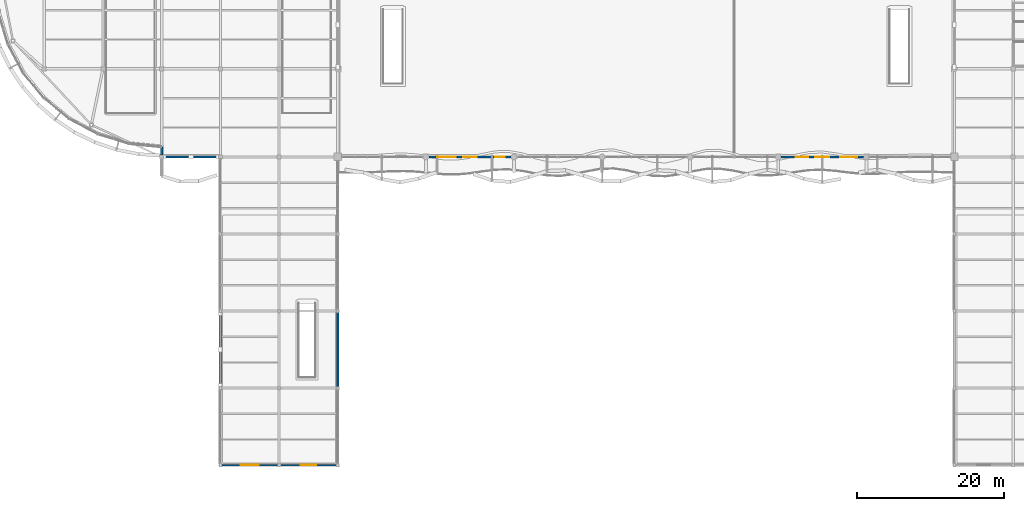
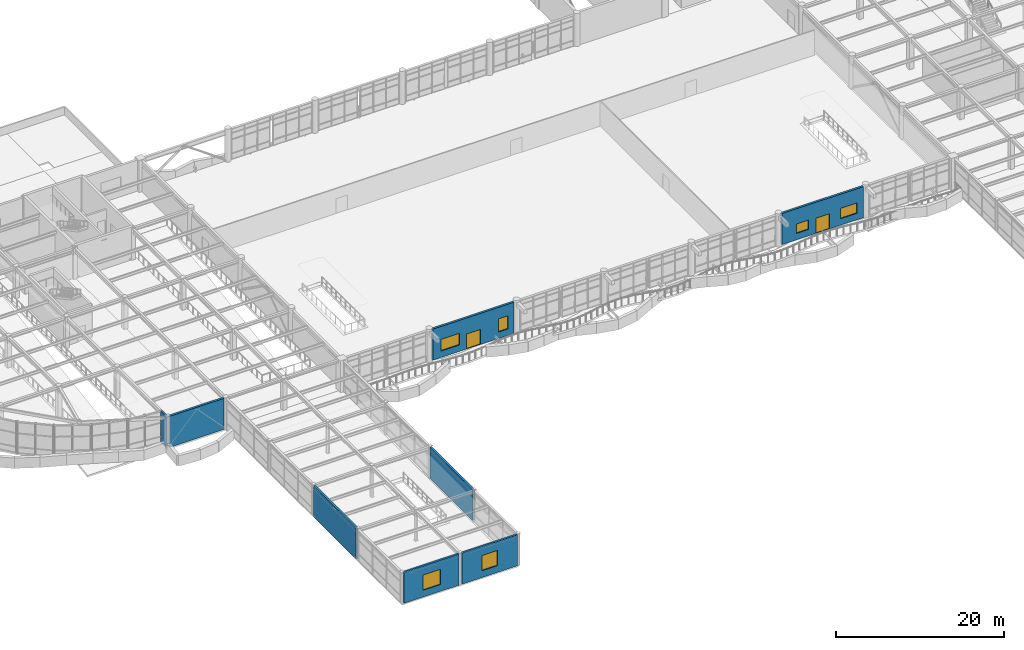
# One storey, part 48 of 72: 8 walls, 6 windows, 2 doors, 8 openings.
"""IFC4 building model written with IfcOpenShell, lengths in metres."""

from ifc_helpers import new_model, si_unit, direction, frame, frame_2d, origin, place, context, subcontext, project, spatial, rectangle, extrude, material, layer, layer_set, type_object, element, fill, save


model = new_model("IFC4")

# Units and contexts
model_context = context("Model", 3, precision=1e-05, world=origin(), true_north=direction((0.0, 1.0)))
body_context = subcontext(model_context, "Body", "Model", "MODEL_VIEW")
ifc_project = project(units=[si_unit("LENGTHUNIT", "METRE"), si_unit("AREAUNIT", "SQUARE_METRE"), si_unit("VOLUMEUNIT", "CUBIC_METRE"), si_unit("PLANEANGLEUNIT", "RADIAN"), si_unit("MASSUNIT", "GRAM", prefix="KILO")], contexts=[model_context])

# Site, building, storey
site_placement = place(None, origin())
site = spatial("IfcSite", under=ifc_project, at=site_placement, CompositionType="ELEMENT")
building_placement = place(site_placement, origin())
building = spatial("IfcBuilding", under=site, at=building_placement, Name="Keelwater Ferry Terminal", CompositionType="ELEMENT")
storey_placement = place(building_placement, frame((0.0, 0.0, 5.39990234375)))
storey = spatial("IfcBuildingStorey", under=building, at=storey_placement, Name="L01", CompositionType="ELEMENT", Elevation=5.39990234375)

# Walls
ifc_material_1 = material(Name="Precast concrete C40/50", Category="concrete")
ifc_layer_1 = layer(ifc_material_1, 0.260009765625)
ifc_layer_set_1 = layer_set([ifc_layer_1], Name="Precast concrete C40/50")
wall_type_1 = type_object("IfcWallType", Name="EW-BR260 External Solid Wall 260", PredefinedType="SOLIDWALL", material=ifc_layer_set_1)
for number, where, z_axis, x_axis, name in (
    (1, (32.0, 10.702880859375, 0.0), (0.0, 0.0, 1.0), (0.0, 1.0, 0.0), "External Wall WL-L01-0002"),
    (2, (48.0, 10.702880859375, 0.0), (0.0, 0.0, 1.0), (0.0, 1.0, 0.0), "External Wall WL-L01-0004"),
):
    element("IfcWall", number, at=place(storey_placement, frame(where, z_axis=z_axis, x_axis=x_axis)), inside=storey, type_object=wall_type_1, Name=name, PredefinedType="SOLIDWALL", context=body_context, shape_type="SweptSolid", body=[
        extrude(rectangle(XDim=10.09423828125, YDim=0.260009765625, at=frame_2d((5.047119140625, 0.0))), origin(), (0.0, 0.0, 1.0), 4.52001953125),
    ])

# Wall, opening, window
wall_1_placement = place(storey_placement, frame((39.797119140625, 0.0, 0.0), z_axis=(0.0, 0.0, 1.0), x_axis=(-1.0, 0.0, 0.0)))
wall_1 = element("IfcWall", 3, at=wall_1_placement, inside=storey, type_object=wall_type_1, Name="External Wall WL-L01-0010", PredefinedType="SOLIDWALL", context=body_context, shape_type="SweptSolid", body=[
    extrude(rectangle(XDim=7.59423828125, YDim=0.260009765625, at=frame_2d((3.797119140625, 0.0))), origin(), (0.0, 0.0, 1.0), 4.52001953125),
])
opening_1_placement = place(wall_1_placement, frame((2.596923828125, 0.0, 1.0)))
opening_1 = element("IfcOpeningElement", 4, at=opening_1_placement, cuts=wall_1, Name="Opening WN-01", PredefinedType="OPENING", context=body_context, shape_type="SweptSolid", body=[
    extrude(rectangle(XDim=2.39990234375, YDim=2.199951171875, at=frame_2d((1.199951171875, 1.10009765625))), frame((0.0, 0.139892578125, 0.0), z_axis=(0.0, -1.0, 0.0), x_axis=(1.0, 0.0, 0.0)), (0.0, 0.0, 1.0), 0.280029296875),
])
ifc_material_2 = material(Name="Triple low-E glass in thermally broken aluminium frame", Category="aluminium")
window_type_1 = type_object("IfcWindowType", Name="WN-01 Exterior Window 2400x2200", PartitioningType="SINGLE_PANEL", PredefinedType="WINDOW", material=ifc_material_2)
window_1_placement = place(opening_1_placement, origin())
window_1 = element("IfcWindow", 5, at=window_1_placement, inside=storey, type_object=window_type_1, Name="Window WN-L01-0001", OverallHeight=2.199951171875, OverallWidth=2.39990234375, PartitioningType="SINGLE_PANEL", PredefinedType="WINDOW", context=body_context, shape_type="SweptSolid", body=[
    extrude(rectangle(XDim=2.39990234375, YDim=2.199951171875, at=frame_2d((1.199951171875, 1.10009765625))), frame((0.0, 0.030029296875, 0.0), z_axis=(0.0, -1.0, 0.0), x_axis=(1.0, 0.0, 0.0)), (0.0, 0.0, 1.0), 0.06005859375),
])
fill(opening_1, window_1)

wall_2_placement = place(storey_placement, frame((47.797119140625, 0.0, 0.0), z_axis=(0.0, 0.0, 1.0), x_axis=(-1.0, 0.0, 0.0)))
wall_2 = element("IfcWall", 6, at=wall_2_placement, inside=storey, type_object=wall_type_1, Name="External Wall WL-L01-0012", PredefinedType="SOLIDWALL", context=body_context, shape_type="SweptSolid", body=[
    extrude(rectangle(XDim=7.59423828125, YDim=0.260009765625, at=frame_2d((3.797119140625, 0.0))), origin(), (0.0, 0.0, 1.0), 4.52001953125),
])
opening_2_placement = place(wall_2_placement, frame((2.7470703125, 0.0, 1.0)))
opening_2 = element("IfcOpeningElement", 7, at=opening_2_placement, cuts=wall_2, Name="Opening WN-02", PredefinedType="OPENING", context=body_context, shape_type="SweptSolid", body=[
    extrude(rectangle(XDim=2.10009765625, YDim=2.199951171875, at=frame_2d((1.050048828125, 1.10009765625))), frame((0.0, 0.139892578125, 0.0), z_axis=(0.0, -1.0, 0.0), x_axis=(1.0, 0.0, 0.0)), (0.0, 0.0, 1.0), 0.280029296875),
])
ifc_material_3 = material(Name="Triple low-E glass in thermally broken aluminium frame", Category="aluminium")
window_type_2 = type_object("IfcWindowType", Name="WN-02 Exterior Window 2100x2200", PartitioningType="SINGLE_PANEL", PredefinedType="WINDOW", material=ifc_material_3)
window_2_placement = place(opening_2_placement, origin())
window_2 = element("IfcWindow", 8, at=window_2_placement, inside=storey, type_object=window_type_2, Name="Window WN-L01-0002", OverallHeight=2.199951171875, OverallWidth=2.10009765625, PartitioningType="SINGLE_PANEL", PredefinedType="WINDOW", context=body_context, shape_type="SweptSolid", body=[
    extrude(rectangle(XDim=2.10009765625, YDim=2.199951171875, at=frame_2d((1.050048828125, 1.10009765625))), frame((0.0, 0.030029296875, 0.0), z_axis=(0.0, -1.0, 0.0), x_axis=(1.0, 0.0, 0.0)), (0.0, 0.0, 1.0), 0.06005859375),
])
fill(opening_2, window_2)

# Wall
ifc_material_4 = material(Name="Precast concrete C40/50", Category="concrete")
ifc_layer_2 = layer(ifc_material_4, 0.300048828125)
ifc_layer_set_2 = layer_set([ifc_layer_2], Name="Precast concrete C40/50")
wall_type_2 = type_object("IfcWallType", Name="EW-PC300 External Solid Wall 300", PredefinedType="SOLIDWALL", material=ifc_layer_set_2)
wall_3_placement = place(storey_placement, frame((24.0, 43.35009765625, 0.0), z_axis=(0.0, 0.0, 1.0), x_axis=(0.0, -1.0, 0.0)))
element("IfcWall", 9, at=wall_3_placement, inside=storey, type_object=wall_type_2, Name="External Wall WL-L01-0022", PredefinedType="SOLIDWALL", context=body_context, shape_type="SweptSolid", body=[
    extrude(rectangle(XDim=1.0751953125, YDim=0.300048828125, at=frame_2d((0.53759765625, 0.0))), origin(), (0.0, 0.0, 1.0), 4.52001953125),
])

# Wall, openings, door, windows
wall_4_placement = place(storey_placement, frame((71.60009765625, 42.0, 0.0), z_axis=(0.0, 0.0, 1.0), x_axis=(-1.0, 0.0, 0.0)))
wall_4 = element("IfcWall", 10, at=wall_4_placement, inside=storey, type_object=wall_type_2, Name="External Wall WL-L01-0060", PredefinedType="SOLIDWALL", context=body_context, shape_type="SweptSolid", body=[
    extrude(rectangle(XDim=11.2001953125, YDim=0.300048828125, at=frame_2d((5.60009765625, 0.0))), origin(), (0.0, 0.0, 1.0), 4.52001953125),
])
opening_3_placement = place(wall_4_placement, frame((4.64990234375, 0.0, 0.0)))
opening_3 = element("IfcOpeningElement", 11, at=opening_3_placement, cuts=wall_4, Name="Opening TD-01", PredefinedType="OPENING", context=body_context, shape_type="SweptSolid", body=[
    extrude(rectangle(XDim=1.89990234375, YDim=2.199951171875, at=frame_2d((0.949951171875, 1.10009765625))), frame((0.0, 0.159912109375, 0.0), z_axis=(0.0, -1.0, 0.0), x_axis=(1.0, 0.0, 0.0)), (0.0, 0.0, 1.0), 0.320068359375),
])
opening_4_placement = place(wall_4_placement, frame((0.85009765625, 0.0, 0.949951171875)))
opening_4 = element("IfcOpeningElement", 12, at=opening_4_placement, cuts=wall_4, Name="Opening WN-26", PredefinedType="OPENING", context=body_context, shape_type="SweptSolid", body=[
    extrude(rectangle(XDim=1.300048828125, YDim=1.89990234375, at=frame_2d((0.64990234375, 0.949951171875))), frame((0.0, 0.159912109375, 0.0), z_axis=(0.0, -1.0, 0.0), x_axis=(1.0, 0.0, 0.0)), (0.0, 0.0, 1.0), 0.320068359375),
])
opening_5_placement = place(wall_4_placement, frame((7.550048828125, 0.0, 0.949951171875)))
opening_5 = element("IfcOpeningElement", 13, at=opening_5_placement, cuts=wall_4, Name="Opening WN-27", PredefinedType="OPENING", context=body_context, shape_type="SweptSolid", body=[
    extrude(rectangle(XDim=2.5, YDim=1.699951171875, at=frame_2d((1.25, 0.85009765625))), frame((0.0, 0.159912109375, 0.0), z_axis=(0.0, -1.0, 0.0), x_axis=(1.0, 0.0, 0.0)), (0.0, 0.0, 1.0), 0.320068359375),
])
ifc_material_5 = material(Name="Anodised aluminium and laminated safety glass", Category="aluminium")
door_type = type_object("IfcDoorType", Name="TD-T1 Pedestrian Door 1900x2200", OperationType="DOUBLE_DOOR_SINGLE_SWING", PredefinedType="DOOR", material=ifc_material_5)
door_1_placement = place(opening_3_placement, origin())
door_1 = element("IfcDoor", 14, at=door_1_placement, inside=storey, type_object=door_type, Name="Door TD-01", OperationType="DOUBLE_DOOR_SINGLE_SWING", OverallHeight=2.199951171875, OverallWidth=1.89990234375, PredefinedType="DOOR", context=body_context, shape_type="SweptSolid", body=[
    extrude(rectangle(XDim=1.89990234375, YDim=2.199951171875, at=frame_2d((0.949951171875, 1.10009765625))), frame((0.0, 0.02490234375, 0.0), z_axis=(0.0, -1.0, 0.0), x_axis=(1.0, 0.0, 0.0)), (0.0, 0.0, 1.0), 0.050048828125),
])
fill(opening_3, door_1)
ifc_material_6 = material(Name="Triple low-E glass in thermally broken aluminium frame", Category="aluminium")
window_type_3 = type_object("IfcWindowType", Name="WN-26 Exterior Window 1300x1900", PartitioningType="SINGLE_PANEL", PredefinedType="WINDOW", material=ifc_material_6)
window_3_placement = place(opening_4_placement, origin())
window_3 = element("IfcWindow", 15, at=window_3_placement, inside=storey, type_object=window_type_3, Name="Window WN-L01-0026", OverallHeight=1.89990234375, OverallWidth=1.300048828125, PartitioningType="SINGLE_PANEL", PredefinedType="WINDOW", context=body_context, shape_type="SweptSolid", body=[
    extrude(rectangle(XDim=1.300048828125, YDim=1.89990234375, at=frame_2d((0.64990234375, 0.949951171875))), frame((0.0, 0.030029296875, 0.0), z_axis=(0.0, -1.0, 0.0), x_axis=(1.0, 0.0, 0.0)), (0.0, 0.0, 1.0), 0.06005859375),
])
fill(opening_4, window_3)
ifc_material_7 = material(Name="Triple low-E glass in thermally broken aluminium frame", Category="aluminium")
window_type_4 = type_object("IfcWindowType", Name="WN-27 Exterior Window 2500x1700", PartitioningType="SINGLE_PANEL", PredefinedType="WINDOW", material=ifc_material_7)
window_4_placement = place(opening_5_placement, origin())
window_4 = element("IfcWindow", 16, at=window_4_placement, inside=storey, type_object=window_type_4, Name="Window WN-L01-0027", OverallHeight=1.699951171875, OverallWidth=2.5, PartitioningType="SINGLE_PANEL", PredefinedType="WINDOW", context=body_context, shape_type="SweptSolid", body=[
    extrude(rectangle(XDim=2.5, YDim=1.699951171875, at=frame_2d((1.25, 0.85009765625))), frame((0.0, 0.030029296875, 0.0), z_axis=(0.0, -1.0, 0.0), x_axis=(1.0, 0.0, 0.0)), (0.0, 0.0, 1.0), 0.06005859375),
])
fill(opening_5, window_4)

wall_5_placement = place(storey_placement, frame((119.60009765625, 42.0, 0.0), z_axis=(0.0, 0.0, 1.0), x_axis=(-1.0, 0.0, 0.0)))
wall_5 = element("IfcWall", 17, at=wall_5_placement, inside=storey, type_object=wall_type_2, Name="External Wall WL-L01-0061", PredefinedType="SOLIDWALL", context=body_context, shape_type="SweptSolid", body=[
    extrude(rectangle(XDim=11.2001953125, YDim=0.300048828125, at=frame_2d((5.60009765625, 0.0))), origin(), (0.0, 0.0, 1.0), 4.52001953125),
])
opening_6_placement = place(wall_5_placement, frame((4.64990234375, 0.0, 0.0)))
opening_6 = element("IfcOpeningElement", 18, at=opening_6_placement, cuts=wall_5, Name="Opening TD-02", PredefinedType="OPENING", context=body_context, shape_type="SweptSolid", body=[
    extrude(rectangle(XDim=1.89990234375, YDim=2.199951171875, at=frame_2d((0.949951171875, 1.10009765625))), frame((0.0, 0.159912109375, 0.0), z_axis=(0.0, -1.0, 0.0), x_axis=(1.0, 0.0, 0.0)), (0.0, 0.0, 1.0), 0.320068359375),
])
opening_7_placement = place(wall_5_placement, frame((0.85009765625, 0.0, 0.949951171875)))
opening_7 = element("IfcOpeningElement", 19, at=opening_7_placement, cuts=wall_5, Name="Opening WN-28", PredefinedType="OPENING", context=body_context, shape_type="SweptSolid", body=[
    extrude(rectangle(XDim=2.300048828125, YDim=1.5, at=frame_2d((1.14990234375, 0.75))), frame((0.0, 0.159912109375, 0.0), z_axis=(0.0, -1.0, 0.0), x_axis=(1.0, 0.0, 0.0)), (0.0, 0.0, 1.0), 0.320068359375),
])
opening_8_placement = place(wall_5_placement, frame((7.550048828125, 0.0, 0.949951171875)))
opening_8 = element("IfcOpeningElement", 20, at=opening_8_placement, cuts=wall_5, Name="Opening WN-29", PredefinedType="OPENING", context=body_context, shape_type="SweptSolid", body=[
    extrude(rectangle(XDim=1.64990234375, YDim=1.35009765625, at=frame_2d((0.824951171875, 0.675048828125))), frame((0.0, 0.159912109375, 0.0), z_axis=(0.0, -1.0, 0.0), x_axis=(1.0, 0.0, 0.0)), (0.0, 0.0, 1.0), 0.320068359375),
])
door_2_placement = place(opening_6_placement, origin())
door_2 = element("IfcDoor", 21, at=door_2_placement, inside=storey, type_object=door_type, Name="Door TD-02", OperationType="DOUBLE_DOOR_SINGLE_SWING", OverallHeight=2.199951171875, OverallWidth=1.89990234375, PredefinedType="DOOR", context=body_context, shape_type="SweptSolid", body=[
    extrude(rectangle(XDim=1.89990234375, YDim=2.199951171875, at=frame_2d((0.949951171875, 1.10009765625))), frame((0.0, 0.02490234375, 0.0), z_axis=(0.0, -1.0, 0.0), x_axis=(1.0, 0.0, 0.0)), (0.0, 0.0, 1.0), 0.050048828125),
])
fill(opening_6, door_2)
ifc_material_8 = material(Name="Triple low-E glass in thermally broken aluminium frame", Category="aluminium")
window_type_5 = type_object("IfcWindowType", Name="WN-28 Exterior Window 2300x1500", PartitioningType="SINGLE_PANEL", PredefinedType="WINDOW", material=ifc_material_8)
window_5_placement = place(opening_7_placement, origin())
window_5 = element("IfcWindow", 22, at=window_5_placement, inside=storey, type_object=window_type_5, Name="Window WN-L01-0028", OverallHeight=1.5, OverallWidth=2.300048828125, PartitioningType="SINGLE_PANEL", PredefinedType="WINDOW", context=body_context, shape_type="SweptSolid", body=[
    extrude(rectangle(XDim=2.300048828125, YDim=1.5, at=frame_2d((1.14990234375, 0.75))), frame((0.0, 0.030029296875, 0.0), z_axis=(0.0, -1.0, 0.0), x_axis=(1.0, 0.0, 0.0)), (0.0, 0.0, 1.0), 0.06005859375),
])
fill(opening_7, window_5)
ifc_material_9 = material(Name="Triple low-E glass in thermally broken aluminium frame", Category="aluminium")
window_type_6 = type_object("IfcWindowType", Name="WN-29 Exterior Window 1650x1350", PartitioningType="SINGLE_PANEL", PredefinedType="WINDOW", material=ifc_material_9)
window_6_placement = place(opening_8_placement, origin())
window_6 = element("IfcWindow", 23, at=window_6_placement, inside=storey, type_object=window_type_6, Name="Window WN-L01-0029", OverallHeight=1.35009765625, OverallWidth=1.64990234375, PartitioningType="SINGLE_PANEL", PredefinedType="WINDOW", context=body_context, shape_type="SweptSolid", body=[
    extrude(rectangle(XDim=1.64990234375, YDim=1.35009765625, at=frame_2d((0.824951171875, 0.675048828125))), frame((0.0, 0.030029296875, 0.0), z_axis=(0.0, -1.0, 0.0), x_axis=(1.0, 0.0, 0.0)), (0.0, 0.0, 1.0), 0.06005859375),
])
fill(opening_8, window_6)

# Wall
wall_6_placement = place(storey_placement, frame((31.72509765625, 42.0, 0.0), z_axis=(0.0, 0.0, 1.0), x_axis=(-1.0, 0.0, 0.0)))
element("IfcWall", 24, at=wall_6_placement, inside=storey, type_object=wall_type_2, Name="External Wall WL-L01-0062", PredefinedType="SOLIDWALL", context=body_context, shape_type="SweptSolid", body=[
    extrude(rectangle(XDim=7.4501953125, YDim=0.300048828125, at=frame_2d((3.72509765625, 0.0))), origin(), (0.0, 0.0, 1.0), 4.52001953125),
])

save(model, "model.ifc")
